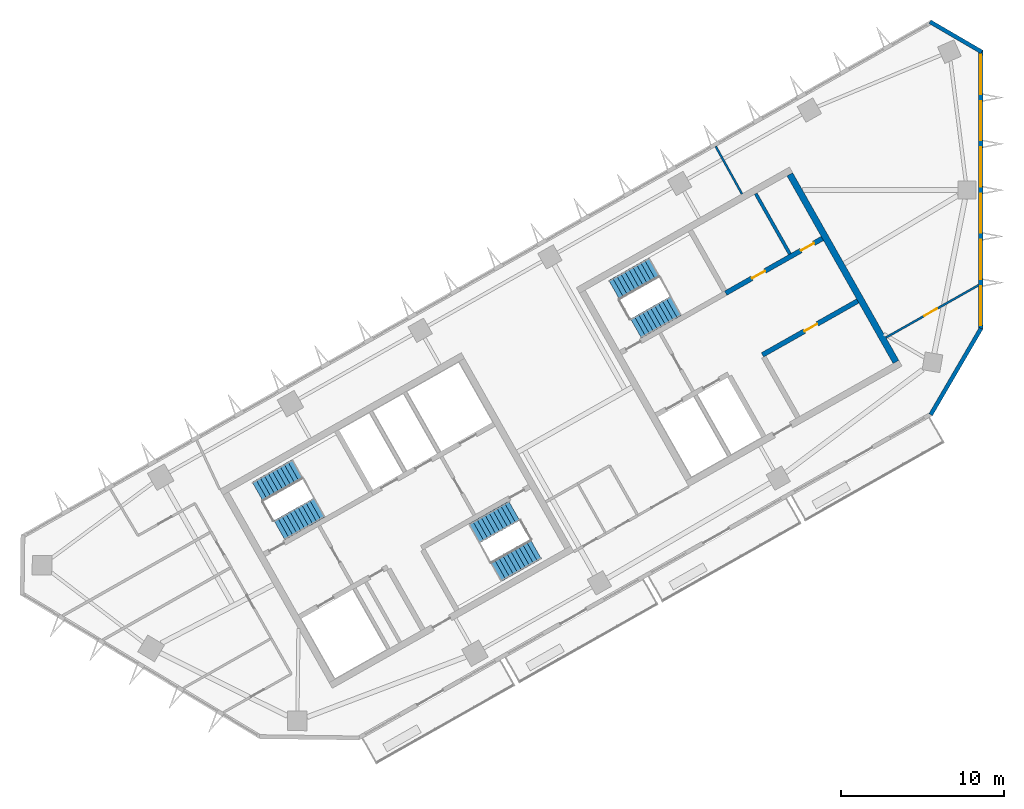
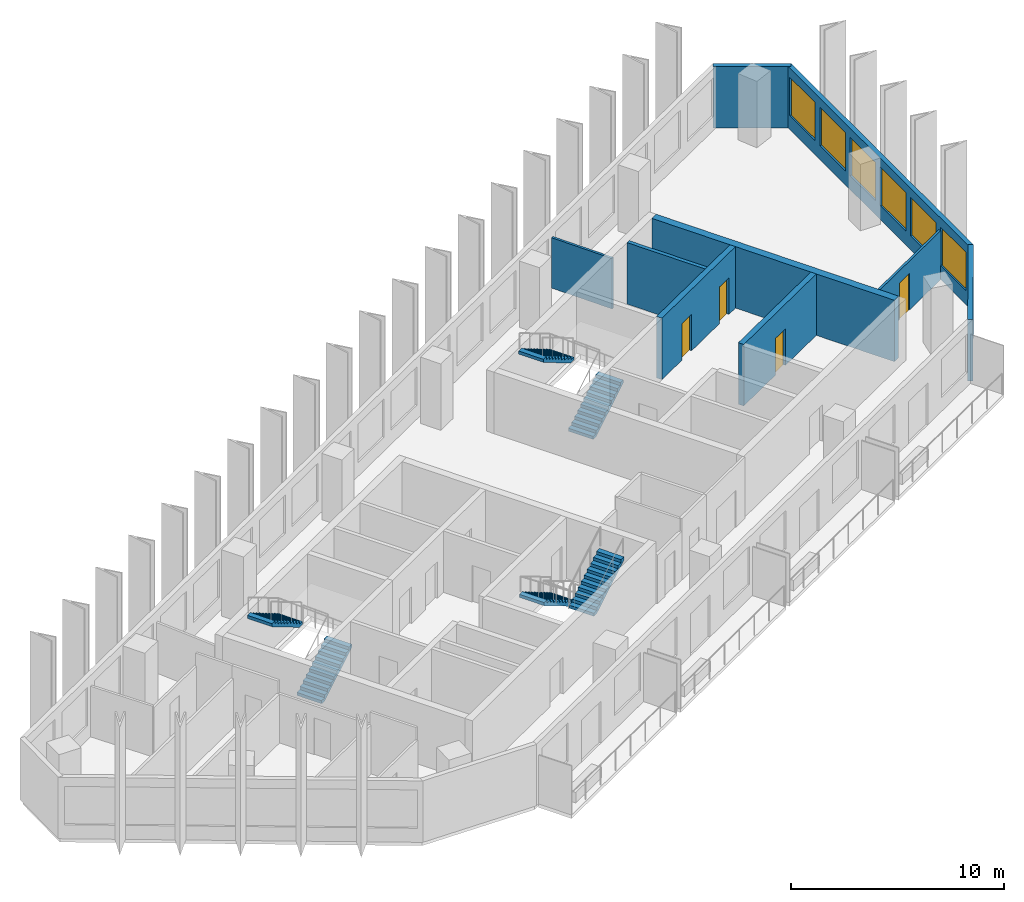
# One storey, part 5 of 8: 9 walls, 6 stair flights, 6 windows, 4 doors, 10 openings, 3 elements without a shape of their own.
"""IFC4 building model written with IfcOpenShell, lengths in metres."""

from ifc_helpers import new_model, si_unit, direction, frame, frame_2d, origin, place, context, subcontext, project, spatial, polyline, rectangle, outline, extrude, material, layer, layer_set, type_object, element, fill, aggregate, save


model = new_model("IFC4")

# Units and contexts
model_context = context("Model", 3, precision=1e-05, world=origin(), true_north=direction((0.0, 1.0)))
body_context = subcontext(model_context, "Body", "Model", "MODEL_VIEW")
ifc_project = project(units=[si_unit("LENGTHUNIT", "METRE"), si_unit("AREAUNIT", "SQUARE_METRE"), si_unit("VOLUMEUNIT", "CUBIC_METRE"), si_unit("PLANEANGLEUNIT", "RADIAN"), si_unit("MASSUNIT", "GRAM", prefix="KILO")], contexts=[model_context])

# Site, building, storey
site_placement = place(None, origin())
site = spatial("IfcSite", under=ifc_project, at=site_placement, CompositionType="ELEMENT")
building_placement = place(site_placement, origin())
building = spatial("IfcBuilding", under=site, at=building_placement, Name="Binnacle Exchange Tower", CompositionType="ELEMENT")
storey_placement = place(building_placement, frame((0.0, 0.0, 300.699951171875)))
storey = spatial("IfcBuildingStorey", under=building, at=storey_placement, Name="L67", CompositionType="ELEMENT", Elevation=300.699951171875)

# Wall
ifc_material_1 = material(Name="Gypsum partition fire rated")
ifc_layer_1 = layer(ifc_material_1, 0.199951171875)
ifc_layer_set_1 = layer_set([ifc_layer_1], Name="Core partition 200")
wall_type_1 = type_object("IfcWallType", Name="Core partition 200", PredefinedType="PARTITIONING", material=ifc_layer_set_1)
wall_1_placement = place(storey_placement, frame((-13.78125, 59.785888671875, 0.0), z_axis=(0.0, 0.0, 1.0), x_axis=(0.492422543467, -0.870356271124, 0.0)))
element("IfcWall", 1, at=wall_1_placement, inside=storey, type_object=wall_type_1, Name="Core wall CRWC20", PredefinedType="PARTITIONING", context=body_context, shape_type="SweptSolid", body=[
    extrude(rectangle(XDim=4.25, YDim=0.199951171875, at=frame_2d((2.125, 0.0))), origin(), (0.0, 0.0, 1.0), 3.52001953125),
])

# Wall, opening, door
ifc_material_2 = material(Name="Concrete C70/85", Category="concrete")
ifc_layer_2 = layer(ifc_material_2, 0.300048828125)
ifc_layer_set_2 = layer_set([ifc_layer_2], Name="Core wall - front 300")
wall_type_2 = type_object("IfcWallType", Name="Core wall - front 300", PredefinedType="SOLIDWALL", material=ifc_layer_set_2)
wall_2_placement = place(storey_placement, frame((-13.364501953125, 49.910888671875, 0.0), z_axis=(0.0, 0.0, 1.0), x_axis=(0.870347618718, 0.492437836272, 0.0)))
wall_2 = element("IfcWall", 2, at=wall_2_placement, inside=storey, type_object=wall_type_2, Name="Core wall CRWC3", PredefinedType="SOLIDWALL", context=body_context, shape_type="SweptSolid", body=[
    extrude(rectangle(XDim=6.699951171875, YDim=0.300048828125, at=frame_2d((3.35009765625, 0.0))), origin(), (0.0, 0.0, 1.0), 3.52001953125),
])
opening_1_placement = place(wall_2_placement, frame((2.949951171875, 0.0, 0.0)))
opening_1 = element("IfcOpeningElement", 3, at=opening_1_placement, cuts=wall_2, Name="Opening DC18", PredefinedType="OPENING", context=body_context, shape_type="SweptSolid", body=[
    extrude(rectangle(XDim=0.89990234375, YDim=2.10009765625, at=frame_2d((0.449951171875, 1.050048828125))), frame((0.0, 0.159912109375, 0.0), z_axis=(0.0, -1.0, 0.0), x_axis=(1.0, 0.0, 0.0)), (0.0, 0.0, 1.0), 0.320068359375),
])
ifc_material_3 = material(Name="Steel door leaf", Category="steel")
door_type_1 = type_object("IfcDoorType", Name="Fire door 900", OperationType="NOTDEFINED", PredefinedType="DOOR", material=ifc_material_3)
door_1_placement = place(opening_1_placement, frame((0.89990234375, 0.0, 0.0), z_axis=(0.0, 0.0, 1.0), x_axis=(-1.0, 0.0, 0.0)))
door_1 = element("IfcDoor", 4, at=door_1_placement, inside=storey, type_object=door_type_1, Name="Core room door SPARES STORE", OperationType="SINGLE_SWING_LEFT", OverallHeight=2.10009765625, OverallWidth=0.89990234375, PredefinedType="DOOR", context=body_context, shape_type="SweptSolid", body=[
    extrude(rectangle(XDim=0.89990234375, YDim=2.10009765625, at=frame_2d((0.449951171875, 1.050048828125))), frame((0.0, 0.02490234375, 0.0), z_axis=(0.0, -1.0, 0.0), x_axis=(1.0, 0.0, 0.0)), (0.0, 0.0, 1.0), 0.050048828125),
])
fill(opening_1, door_1)

# Wall, openings, doors
wall_3_placement = place(storey_placement, frame((-15.6181640625, 53.69140625, 0.0), z_axis=(0.0, 0.0, 1.0), x_axis=(0.870362830851, 0.492410948978, 0.0)))
wall_3 = element("IfcWall", 5, at=wall_3_placement, inside=storey, type_object=wall_type_2, Name="Core wall CRWC5", PredefinedType="SOLIDWALL", context=body_context, shape_type="SweptSolid", body=[
    extrude(rectangle(XDim=6.800048828125, YDim=0.300048828125, at=frame_2d((3.39990234375, 0.0))), origin(), (0.0, 0.0, 1.0), 3.52001953125),
])
opening_2_placement = place(wall_3_placement, frame((1.85009765625, 0.0, 0.0)))
opening_2 = element("IfcOpeningElement", 6, at=opening_2_placement, cuts=wall_3, Name="Opening DC10", PredefinedType="OPENING", context=body_context, shape_type="SweptSolid", body=[
    extrude(rectangle(XDim=0.89990234375, YDim=2.10009765625, at=frame_2d((0.449951171875, 1.050048828125))), frame((0.0, 0.159912109375, 0.0), z_axis=(0.0, -1.0, 0.0), x_axis=(1.0, 0.0, 0.0)), (0.0, 0.0, 1.0), 0.320068359375),
])
opening_3_placement = place(wall_3_placement, frame((5.300048828125, 0.0, 0.0)))
opening_3 = element("IfcOpeningElement", 7, at=opening_3_placement, cuts=wall_3, Name="Opening DC11", PredefinedType="OPENING", context=body_context, shape_type="SweptSolid", body=[
    extrude(rectangle(XDim=0.89990234375, YDim=2.10009765625, at=frame_2d((0.449951171875, 1.050048828125))), frame((0.0, 0.159912109375, 0.0), z_axis=(0.0, -1.0, 0.0), x_axis=(1.0, 0.0, 0.0)), (0.0, 0.0, 1.0), 0.320068359375),
])
door_2_placement = place(opening_2_placement, origin())
door_2 = element("IfcDoor", 8, at=door_2_placement, inside=storey, type_object=door_type_1, Name="Core room door TELECOM RISER ROOM", OperationType="SINGLE_SWING_LEFT", OverallHeight=2.10009765625, OverallWidth=0.89990234375, PredefinedType="DOOR", context=body_context, shape_type="SweptSolid", body=[
    extrude(rectangle(XDim=0.89990234375, YDim=2.10009765625, at=frame_2d((0.449951171875, 1.050048828125))), frame((0.0, 0.02490234375, 0.0), z_axis=(0.0, -1.0, 0.0), x_axis=(1.0, 0.0, 0.0)), (0.0, 0.0, 1.0), 0.050048828125),
])
fill(opening_2, door_2)
door_3_placement = place(opening_3_placement, origin())
door_3 = element("IfcDoor", 9, at=door_3_placement, inside=storey, type_object=door_type_1, Name="Core room door COMMS RISER ROOM", OperationType="SINGLE_SWING_RIGHT", OverallHeight=2.10009765625, OverallWidth=0.89990234375, PredefinedType="DOOR", context=body_context, shape_type="SweptSolid", body=[
    extrude(rectangle(XDim=0.89990234375, YDim=2.10009765625, at=frame_2d((0.449951171875, 1.050048828125))), frame((0.0, 0.02490234375, 0.0), z_axis=(0.0, -1.0, 0.0), x_axis=(1.0, 0.0, 0.0)), (0.0, 0.0, 1.0), 0.050048828125),
])
fill(opening_3, door_3)

# Walls
ifc_layer_3 = layer(ifc_material_2, 0.39990234375)
ifc_layer_set_3 = layer_set([ifc_layer_3], Name="Core wall - outer 400")
wall_type_3 = type_object("IfcWallType", Name="Core wall - outer 400", PredefinedType="SOLIDWALL", material=ifc_layer_set_3)
wall_4_placement = place(storey_placement, frame((-11.6923828125, 60.968017578125, 0.0), z_axis=(0.0, 0.0, 1.0), x_axis=(0.492421663121, -0.870356769198, 0.0)))
element("IfcWall", 10, at=wall_4_placement, inside=storey, type_object=wall_type_3, Name="Core wall CRWC24", PredefinedType="SOLIDWALL", context=body_context, shape_type="SweptSolid", body=[
    extrude(rectangle(XDim=13.199951171875, YDim=0.39990234375, at=frame_2d((6.60009765625, 0.0))), origin(), (0.0, 0.0, 1.0), 3.52001953125),
])
ifc_material_4 = material(Name="Bronze aluminium cladding", Category="aluminium")
ifc_layer_4 = layer(ifc_material_4, 0.25)
ifc_layer_set_4 = layer_set([ifc_layer_4], Name="External wall - window wall 250")
wall_type_4 = type_object("IfcWallType", Name="External wall - window wall 250", PredefinedType="STANDARD", material=ifc_layer_set_4)
wall_5_placement = place(storey_placement, frame((0.01708984375, 51.529296875, 0.0), z_axis=(0.0, 0.0, 1.0), x_axis=(-0.503769237131, -0.863838269424, 0.0)))
element("IfcWall", 11, at=wall_5_placement, inside=storey, type_object=wall_type_4, Name="External wall EW-H00 L67", PredefinedType="STANDARD", context=body_context, shape_type="SweptSolid", body=[
    extrude(rectangle(XDim=6.114501953125, YDim=0.25, at=frame_2d((3.05712890625, 0.0))), origin(), (0.0, 0.0, 1.0), 3.52001953125),
])

# Wall, openings, windows
wall_6_placement = place(storey_placement, frame((0.0, 68.57177734375, 0.0), z_axis=(0.0, 0.0, 1.0), x_axis=(0.0, -1.0, 0.0)))
wall_6 = element("IfcWall", 12, at=wall_6_placement, inside=storey, type_object=wall_type_4, Name="External wall EW-H01 L67", PredefinedType="STANDARD", context=body_context, shape_type="SweptSolid", body=[
    extrude(rectangle(XDim=17.10546875, YDim=0.25, at=frame_2d((8.552734375, 0.0))), origin(), (0.0, 0.0, 1.0), 3.52001953125),
])
opening_4_placement = place(wall_6_placement, frame((14.455078125, 0.0, 0.800048828125)))
opening_4 = element("IfcOpeningElement", 13, at=opening_4_placement, cuts=wall_6, Name="Opening WR2", PredefinedType="OPENING", context=body_context, shape_type="SweptSolid", body=[
    extrude(rectangle(XDim=2.39990234375, YDim=2.199951171875, at=frame_2d((1.199951171875, 1.10009765625))), frame((0.0, 0.135009765625, 0.0), z_axis=(0.0, -1.0, 0.0), x_axis=(1.0, 0.0, 0.0)), (0.0, 0.0, 1.0), 0.27001953125),
])
opening_5_placement = place(wall_6_placement, frame((11.621826171875, 0.0, 0.800048828125)))
opening_5 = element("IfcOpeningElement", 14, at=opening_5_placement, cuts=wall_6, Name="Opening WR2", PredefinedType="OPENING", context=body_context, shape_type="SweptSolid", body=[
    extrude(rectangle(XDim=2.39990234375, YDim=2.199951171875, at=frame_2d((1.199951171875, 1.10009765625))), frame((0.0, 0.135009765625, 0.0), z_axis=(0.0, -1.0, 0.0), x_axis=(1.0, 0.0, 0.0)), (0.0, 0.0, 1.0), 0.27001953125),
])
opening_6_placement = place(wall_6_placement, frame((8.78857421875, 0.0, 0.800048828125)))
opening_6 = element("IfcOpeningElement", 15, at=opening_6_placement, cuts=wall_6, Name="Opening WR2", PredefinedType="OPENING", context=body_context, shape_type="SweptSolid", body=[
    extrude(rectangle(XDim=2.39990234375, YDim=2.199951171875, at=frame_2d((1.199951171875, 1.10009765625))), frame((0.0, 0.135009765625, 0.0), z_axis=(0.0, -1.0, 0.0), x_axis=(1.0, 0.0, 0.0)), (0.0, 0.0, 1.0), 0.27001953125),
])
opening_7_placement = place(wall_6_placement, frame((5.955078125, 0.0, 0.800048828125)))
opening_7 = element("IfcOpeningElement", 16, at=opening_7_placement, cuts=wall_6, Name="Opening WR2", PredefinedType="OPENING", context=body_context, shape_type="SweptSolid", body=[
    extrude(rectangle(XDim=2.39990234375, YDim=2.199951171875, at=frame_2d((1.199951171875, 1.10009765625))), frame((0.0, 0.135009765625, 0.0), z_axis=(0.0, -1.0, 0.0), x_axis=(1.0, 0.0, 0.0)), (0.0, 0.0, 1.0), 0.27001953125),
])
opening_8_placement = place(wall_6_placement, frame((3.121826171875, 0.0, 0.800048828125)))
opening_8 = element("IfcOpeningElement", 17, at=opening_8_placement, cuts=wall_6, Name="Opening WR2", PredefinedType="OPENING", context=body_context, shape_type="SweptSolid", body=[
    extrude(rectangle(XDim=2.39990234375, YDim=2.199951171875, at=frame_2d((1.199951171875, 1.10009765625))), frame((0.0, 0.135009765625, 0.0), z_axis=(0.0, -1.0, 0.0), x_axis=(1.0, 0.0, 0.0)), (0.0, 0.0, 1.0), 0.27001953125),
])
opening_9_placement = place(wall_6_placement, frame((0.28857421875, 0.0, 0.800048828125)))
opening_9 = element("IfcOpeningElement", 18, at=opening_9_placement, cuts=wall_6, Name="Opening WR2", PredefinedType="OPENING", context=body_context, shape_type="SweptSolid", body=[
    extrude(rectangle(XDim=2.39990234375, YDim=2.199951171875, at=frame_2d((1.199951171875, 1.10009765625))), frame((0.0, 0.135009765625, 0.0), z_axis=(0.0, -1.0, 0.0), x_axis=(1.0, 0.0, 0.0)), (0.0, 0.0, 1.0), 0.27001953125),
])
ifc_material_5 = material(Name="Bronze anodised aluminium frame", Category="aluminium")
window_type = type_object("IfcWindowType", Name="WR2 WINDOW 2400x2200", PartitioningType="SINGLE_PANEL", PredefinedType="WINDOW", material=ifc_material_5)
window_1_placement = place(opening_4_placement, origin())
window_1 = element("IfcWindow", 19, at=window_1_placement, inside=storey, type_object=window_type, Name="Window WR2 L67", OverallHeight=2.199951171875, OverallWidth=2.39990234375, PartitioningType="SINGLE_PANEL", PredefinedType="WINDOW", context=body_context, shape_type="SweptSolid", body=[
    extrude(rectangle(XDim=2.39990234375, YDim=2.199951171875, at=frame_2d((1.199951171875, 1.10009765625))), frame((0.0, 0.030029296875, 0.0), z_axis=(0.0, -1.0, 0.0), x_axis=(1.0, 0.0, 0.0)), (0.0, 0.0, 1.0), 0.06005859375),
])
fill(opening_4, window_1)
window_2_placement = place(opening_5_placement, origin())
window_2 = element("IfcWindow", 20, at=window_2_placement, inside=storey, type_object=window_type, Name="Window WR2 L67", OverallHeight=2.199951171875, OverallWidth=2.39990234375, PartitioningType="SINGLE_PANEL", PredefinedType="WINDOW", context=body_context, shape_type="SweptSolid", body=[
    extrude(rectangle(XDim=2.39990234375, YDim=2.199951171875, at=frame_2d((1.199951171875, 1.10009765625))), frame((0.0, 0.030029296875, 0.0), z_axis=(0.0, -1.0, 0.0), x_axis=(1.0, 0.0, 0.0)), (0.0, 0.0, 1.0), 0.06005859375),
])
fill(opening_5, window_2)
window_3_placement = place(opening_6_placement, origin())
window_3 = element("IfcWindow", 21, at=window_3_placement, inside=storey, type_object=window_type, Name="Window WR2 L67", OverallHeight=2.199951171875, OverallWidth=2.39990234375, PartitioningType="SINGLE_PANEL", PredefinedType="WINDOW", context=body_context, shape_type="SweptSolid", body=[
    extrude(rectangle(XDim=2.39990234375, YDim=2.199951171875, at=frame_2d((1.199951171875, 1.10009765625))), frame((0.0, 0.030029296875, 0.0), z_axis=(0.0, -1.0, 0.0), x_axis=(1.0, 0.0, 0.0)), (0.0, 0.0, 1.0), 0.06005859375),
])
fill(opening_6, window_3)
window_4_placement = place(opening_7_placement, origin())
window_4 = element("IfcWindow", 22, at=window_4_placement, inside=storey, type_object=window_type, Name="Window WR2 L67", OverallHeight=2.199951171875, OverallWidth=2.39990234375, PartitioningType="SINGLE_PANEL", PredefinedType="WINDOW", context=body_context, shape_type="SweptSolid", body=[
    extrude(rectangle(XDim=2.39990234375, YDim=2.199951171875, at=frame_2d((1.199951171875, 1.10009765625))), frame((0.0, 0.030029296875, 0.0), z_axis=(0.0, -1.0, 0.0), x_axis=(1.0, 0.0, 0.0)), (0.0, 0.0, 1.0), 0.06005859375),
])
fill(opening_7, window_4)
window_5_placement = place(opening_8_placement, origin())
window_5 = element("IfcWindow", 23, at=window_5_placement, inside=storey, type_object=window_type, Name="Window WR2 L67", OverallHeight=2.199951171875, OverallWidth=2.39990234375, PartitioningType="SINGLE_PANEL", PredefinedType="WINDOW", context=body_context, shape_type="SweptSolid", body=[
    extrude(rectangle(XDim=2.39990234375, YDim=2.199951171875, at=frame_2d((1.199951171875, 1.10009765625))), frame((0.0, 0.030029296875, 0.0), z_axis=(0.0, -1.0, 0.0), x_axis=(1.0, 0.0, 0.0)), (0.0, 0.0, 1.0), 0.06005859375),
])
fill(opening_8, window_5)
window_6_placement = place(opening_9_placement, origin())
window_6 = element("IfcWindow", 24, at=window_6_placement, inside=storey, type_object=window_type, Name="Window WR2 L67", OverallHeight=2.199951171875, OverallWidth=2.39990234375, PartitioningType="SINGLE_PANEL", PredefinedType="WINDOW", context=body_context, shape_type="SweptSolid", body=[
    extrude(rectangle(XDim=2.39990234375, YDim=2.199951171875, at=frame_2d((1.199951171875, 1.10009765625))), frame((0.0, 0.030029296875, 0.0), z_axis=(0.0, -1.0, 0.0), x_axis=(1.0, 0.0, 0.0)), (0.0, 0.0, 1.0), 0.06005859375),
])
fill(opening_9, window_6)

# Walls
wall_7_placement = place(storey_placement, frame((-3.108154296875, 70.312744140625, 0.0), z_axis=(0.0, 0.0, 1.0), x_axis=(0.86382474085, -0.503792434536, 0.0)))
element("IfcWall", 25, at=wall_7_placement, inside=storey, type_object=wall_type_4, Name="External wall EW-H02 L67", PredefinedType="STANDARD", context=body_context, shape_type="SweptSolid", body=[
    extrude(rectangle(XDim=3.669921875, YDim=0.25, at=frame_2d((1.8349609375, 0.0))), origin(), (0.0, 0.0, 1.0), 3.52001953125),
])
ifc_material_6 = material(Name="Gypsum partition")
ifc_layer_5 = layer(ifc_material_6, 0.125)
ifc_layer_set_5 = layer_set([ifc_layer_5], Name="Partition 125")
wall_type_5 = type_object("IfcWallType", Name="Partition 125", PredefinedType="PARTITIONING", material=ifc_layer_set_5)
wall_8_placement = place(storey_placement, frame((-16.22900390625, 62.675048828125, 0.0), z_axis=(0.0, 0.0, 1.0), x_axis=(0.483687594014, -0.875240716259, 0.0)))
element("IfcWall", 26, at=wall_8_placement, inside=storey, type_object=wall_type_5, Name="Partition W19", PredefinedType="PARTITIONING", context=body_context, shape_type="SweptSolid", body=[
    extrude(rectangle(XDim=3.3203125, YDim=0.125, at=frame_2d((1.66015625, 0.0))), origin(), (0.0, 0.0, 1.0), 2.887939453125),
])

# Wall, opening, door
wall_9_placement = place(storey_placement, frame((-5.805908203125, 50.969970703125, 0.0), z_axis=(0.0, 0.0, 1.0), x_axis=(0.870355163327, 0.492424501492, 0.0)))
wall_9 = element("IfcWall", 27, at=wall_9_placement, inside=storey, type_object=wall_type_5, Name="Partition W20", PredefinedType="PARTITIONING", context=body_context, shape_type="SweptSolid", body=[
    extrude(rectangle(XDim=6.527099609375, YDim=0.125, at=frame_2d((3.263671875, 0.0))), origin(), (0.0, 0.0, 1.0), 2.800048828125),
])
opening_10_placement = place(wall_9_placement, frame((2.699951171875, 0.0, 0.0)))
opening_10 = element("IfcOpeningElement", 28, at=opening_10_placement, cuts=wall_9, Name="Opening DL65-08", PredefinedType="OPENING", context=body_context, shape_type="SweptSolid", body=[
    extrude(rectangle(XDim=0.89990234375, YDim=2.10009765625, at=frame_2d((0.449951171875, 1.050048828125))), frame((0.0, 0.072509765625, 0.0), z_axis=(0.0, -1.0, 0.0), x_axis=(1.0, 0.0, 0.0)), (0.0, 0.0, 1.0), 0.14501953125),
])
ifc_material_7 = material(Name="Timber door leaf", Category="wood")
door_type_2 = type_object("IfcDoorType", Name="Door 900", OperationType="NOTDEFINED", PredefinedType="DOOR", material=ifc_material_7)
door_4_placement = place(opening_10_placement, origin())
door_4 = element("IfcDoor", 29, at=door_4_placement, inside=storey, type_object=door_type_2, Name="Door DL65-08", OperationType="SINGLE_SWING_LEFT", OverallHeight=2.10009765625, OverallWidth=0.89990234375, PredefinedType="DOOR", context=body_context, shape_type="SweptSolid", body=[
    extrude(rectangle(XDim=0.89990234375, YDim=2.10009765625, at=frame_2d((0.449951171875, 1.050048828125))), frame((0.0, 0.02490234375, 0.0), z_axis=(0.0, -1.0, 0.0), x_axis=(1.0, 0.0, 0.0)), (0.0, 0.0, 1.0), 0.050048828125),
])
fill(opening_10, door_4)

# Stair, stair flights
ifc_material_8 = material(Name="Concrete C35/45", Category="concrete")
stair_type = type_object("IfcStairType", Name="STAIR 22 RISERS 173", PredefinedType="HALF_TURN_STAIR", material=ifc_material_8)
stair_1_placement = place(storey_placement, origin())
stair_1 = element("IfcStair", 30, at=stair_1_placement, inside=storey, type_object=stair_type, Name="L67 Escape stair A1", PredefinedType="HALF_TURN_STAIR")
stair_flight_type = type_object("IfcStairFlightType", Name="STAIR FLIGHT 173X280", PredefinedType="STRAIGHT", material=ifc_material_8)
stair_flight_1_placement = place(storey_placement, frame((-42.9541015625, 39.17333984375, 0.0), z_axis=(0.0, 0.0, 1.0), x_axis=(0.870355584213, 0.492423757581, 0.0)))
stair_flight_1 = element("IfcStairFlight", 31, at=stair_flight_1_placement, type_object=stair_flight_type, Name="STA1 flight 1", NumberOfRisers=11, NumberOfTreads=10, PredefinedType="STRAIGHT", RiserHeight=0.172727273, TreadLength=0.28, context=body_context, shape_type="SweptSolid", body=[
    extrude(outline(polyline([(0.0, 0.0), (0.0, 0.172607421875), (0.280029296875, 0.172607421875), (0.280029296875, 0.345458984375), (0.56005859375, 0.345458984375), (0.56005859375, 0.51806640625), (0.840087890625, 0.51806640625), (0.840087890625, 0.69091796875), (1.1201171875, 0.69091796875), (1.1201171875, 0.863525390625), (1.39990234375, 0.863525390625), (1.39990234375, 1.036376953125), (1.679931640625, 1.036376953125), (1.679931640625, 1.208984375), (1.9599609375, 1.208984375), (1.9599609375, 1.3818359375), (2.239990234375, 1.3818359375), (2.239990234375, 1.554443359375), (2.52001953125, 1.554443359375), (2.52001953125, 1.727294921875), (2.800048828125, 1.727294921875), (2.800048828125, 1.89990234375), (2.800048828125, 1.551025390625), (0.285400390625, 0.0), (0.0, 0.0)])), frame((0.0, 0.675048828125, 0.0), z_axis=(0.0, -1.0, 0.0), x_axis=(1.0, 0.0, 0.0)), (0.0, 0.0, 1.0), 1.35009765625),
])
stair_flight_2_placement = place(storey_placement, frame((-41.846435546875, 42.902099609375, 1.900146484375), z_axis=(0.0, 0.0, 1.0), x_axis=(-0.870355584213, -0.492423757581, 0.0)))
stair_flight_2 = element("IfcStairFlight", 32, at=stair_flight_2_placement, type_object=stair_flight_type, Name="STA1 flight 2", NumberOfRisers=11, NumberOfTreads=10, PredefinedType="STRAIGHT", RiserHeight=0.172727273, TreadLength=0.28, context=body_context, shape_type="SweptSolid", body=[
    extrude(outline(polyline([(0.0, 0.0), (0.0, 0.172607421875), (0.280029296875, 0.172607421875), (0.280029296875, 0.345458984375), (0.56005859375, 0.345458984375), (0.56005859375, 0.51806640625), (0.840087890625, 0.51806640625), (0.840087890625, 0.69091796875), (1.1201171875, 0.69091796875), (1.1201171875, 0.863525390625), (1.39990234375, 0.863525390625), (1.39990234375, 1.036376953125), (1.679931640625, 1.036376953125), (1.679931640625, 1.208984375), (1.9599609375, 1.208984375), (1.9599609375, 1.3818359375), (2.239990234375, 1.3818359375), (2.239990234375, 1.554443359375), (2.52001953125, 1.554443359375), (2.52001953125, 1.727294921875), (2.800048828125, 1.727294921875), (2.800048828125, 1.89990234375), (2.800048828125, 1.551025390625), (0.285400390625, 0.0), (0.0, 0.0)])), frame((0.0, 0.675048828125, 0.0), z_axis=(0.0, -1.0, 0.0), x_axis=(1.0, 0.0, 0.0)), (0.0, 0.0, 1.0), 1.35009765625),
])
aggregate(stair_1, [stair_flight_1, stair_flight_2])

stair_2_placement = place(storey_placement, origin())
stair_2 = element("IfcStair", 33, at=stair_2_placement, inside=storey, type_object=stair_type, Name="L67 Escape stair A2", PredefinedType="HALF_TURN_STAIR")
stair_flight_3_placement = place(storey_placement, frame((-28.5732421875, 40.3583984375, 0.0), z_axis=(0.0, 0.0, 1.0), x_axis=(-0.870355584213, -0.492423757581, 0.0)))
stair_flight_3 = element("IfcStairFlight", 34, at=stair_flight_3_placement, type_object=stair_flight_type, Name="STA2 flight 1", NumberOfRisers=11, NumberOfTreads=10, PredefinedType="STRAIGHT", RiserHeight=0.172727273, TreadLength=0.28, context=body_context, shape_type="SweptSolid", body=[
    extrude(outline(polyline([(0.0, 0.0), (0.0, 0.172607421875), (0.280029296875, 0.172607421875), (0.280029296875, 0.345458984375), (0.56005859375, 0.345458984375), (0.56005859375, 0.51806640625), (0.840087890625, 0.51806640625), (0.840087890625, 0.69091796875), (1.1201171875, 0.69091796875), (1.1201171875, 0.863525390625), (1.39990234375, 0.863525390625), (1.39990234375, 1.036376953125), (1.679931640625, 1.036376953125), (1.679931640625, 1.208984375), (1.9599609375, 1.208984375), (1.9599609375, 1.3818359375), (2.239990234375, 1.3818359375), (2.239990234375, 1.554443359375), (2.52001953125, 1.554443359375), (2.52001953125, 1.727294921875), (2.800048828125, 1.727294921875), (2.800048828125, 1.89990234375), (2.800048828125, 1.551025390625), (0.285400390625, 0.0), (0.0, 0.0)])), frame((0.0, 0.675048828125, 0.0), z_axis=(0.0, -1.0, 0.0), x_axis=(1.0, 0.0, 0.0)), (0.0, 0.0, 1.0), 1.35009765625),
])
stair_flight_4_placement = place(storey_placement, frame((-29.6806640625, 36.629638671875, 1.900146484375), z_axis=(0.0, 0.0, 1.0), x_axis=(0.870355584213, 0.492423757581, 0.0)))
stair_flight_4 = element("IfcStairFlight", 35, at=stair_flight_4_placement, type_object=stair_flight_type, Name="STA2 flight 2", NumberOfRisers=11, NumberOfTreads=10, PredefinedType="STRAIGHT", RiserHeight=0.172727273, TreadLength=0.28, context=body_context, shape_type="SweptSolid", body=[
    extrude(outline(polyline([(0.0, 0.0), (0.0, 0.172607421875), (0.280029296875, 0.172607421875), (0.280029296875, 0.345458984375), (0.56005859375, 0.345458984375), (0.56005859375, 0.51806640625), (0.840087890625, 0.51806640625), (0.840087890625, 0.69091796875), (1.1201171875, 0.69091796875), (1.1201171875, 0.863525390625), (1.39990234375, 0.863525390625), (1.39990234375, 1.036376953125), (1.679931640625, 1.036376953125), (1.679931640625, 1.208984375), (1.9599609375, 1.208984375), (1.9599609375, 1.3818359375), (2.239990234375, 1.3818359375), (2.239990234375, 1.554443359375), (2.52001953125, 1.554443359375), (2.52001953125, 1.727294921875), (2.800048828125, 1.727294921875), (2.800048828125, 1.89990234375), (2.800048828125, 1.551025390625), (0.285400390625, 0.0), (0.0, 0.0)])), frame((0.0, 0.675048828125, 0.0), z_axis=(0.0, -1.0, 0.0), x_axis=(1.0, 0.0, 0.0)), (0.0, 0.0, 1.0), 1.35009765625),
])
aggregate(stair_2, [stair_flight_3, stair_flight_4])

stair_3_placement = place(storey_placement, origin())
stair_3 = element("IfcStair", 36, at=stair_3_placement, inside=storey, type_object=stair_type, Name="L67 Escape stair C1", PredefinedType="HALF_TURN_STAIR")
stair_flight_5_placement = place(storey_placement, frame((-21.115966796875, 51.528564453125, 0.0), z_axis=(0.0, 0.0, 1.0), x_axis=(0.870355584213, 0.492423757581, 0.0)))
stair_flight_5 = element("IfcStairFlight", 37, at=stair_flight_5_placement, type_object=stair_flight_type, Name="STC1 flight 1", NumberOfRisers=11, NumberOfTreads=10, PredefinedType="STRAIGHT", RiserHeight=0.172727273, TreadLength=0.28, context=body_context, shape_type="SweptSolid", body=[
    extrude(outline(polyline([(0.0, 0.0), (0.0, 0.172607421875), (0.280029296875, 0.172607421875), (0.280029296875, 0.345458984375), (0.56005859375, 0.345458984375), (0.56005859375, 0.51806640625), (0.840087890625, 0.51806640625), (0.840087890625, 0.69091796875), (1.1201171875, 0.69091796875), (1.1201171875, 0.863525390625), (1.39990234375, 0.863525390625), (1.39990234375, 1.036376953125), (1.679931640625, 1.036376953125), (1.679931640625, 1.208984375), (1.9599609375, 1.208984375), (1.9599609375, 1.3818359375), (2.239990234375, 1.3818359375), (2.239990234375, 1.554443359375), (2.52001953125, 1.554443359375), (2.52001953125, 1.727294921875), (2.800048828125, 1.727294921875), (2.800048828125, 1.89990234375), (2.800048828125, 1.551025390625), (0.285400390625, 0.0), (0.0, 0.0)])), frame((0.0, 0.675048828125, 0.0), z_axis=(0.0, -1.0, 0.0), x_axis=(1.0, 0.0, 0.0)), (0.0, 0.0, 1.0), 1.35009765625),
])
stair_flight_6_placement = place(storey_placement, frame((-20.008544921875, 55.25732421875, 1.900146484375), z_axis=(0.0, 0.0, 1.0), x_axis=(-0.870355584213, -0.492423757581, 0.0)))
stair_flight_6 = element("IfcStairFlight", 38, at=stair_flight_6_placement, type_object=stair_flight_type, Name="STC1 flight 2", NumberOfRisers=11, NumberOfTreads=10, PredefinedType="STRAIGHT", RiserHeight=0.172727273, TreadLength=0.28, context=body_context, shape_type="SweptSolid", body=[
    extrude(outline(polyline([(0.0, 0.0), (0.0, 0.172607421875), (0.280029296875, 0.172607421875), (0.280029296875, 0.345458984375), (0.56005859375, 0.345458984375), (0.56005859375, 0.51806640625), (0.840087890625, 0.51806640625), (0.840087890625, 0.69091796875), (1.1201171875, 0.69091796875), (1.1201171875, 0.863525390625), (1.39990234375, 0.863525390625), (1.39990234375, 1.036376953125), (1.679931640625, 1.036376953125), (1.679931640625, 1.208984375), (1.9599609375, 1.208984375), (1.9599609375, 1.3818359375), (2.239990234375, 1.3818359375), (2.239990234375, 1.554443359375), (2.52001953125, 1.554443359375), (2.52001953125, 1.727294921875), (2.800048828125, 1.727294921875), (2.800048828125, 1.89990234375), (2.800048828125, 1.551025390625), (0.285400390625, 0.0), (0.0, 0.0)])), frame((0.0, 0.675048828125, 0.0), z_axis=(0.0, -1.0, 0.0), x_axis=(1.0, 0.0, 0.0)), (0.0, 0.0, 1.0), 1.35009765625),
])
aggregate(stair_3, [stair_flight_5, stair_flight_6])

save(model, "model.ifc")
